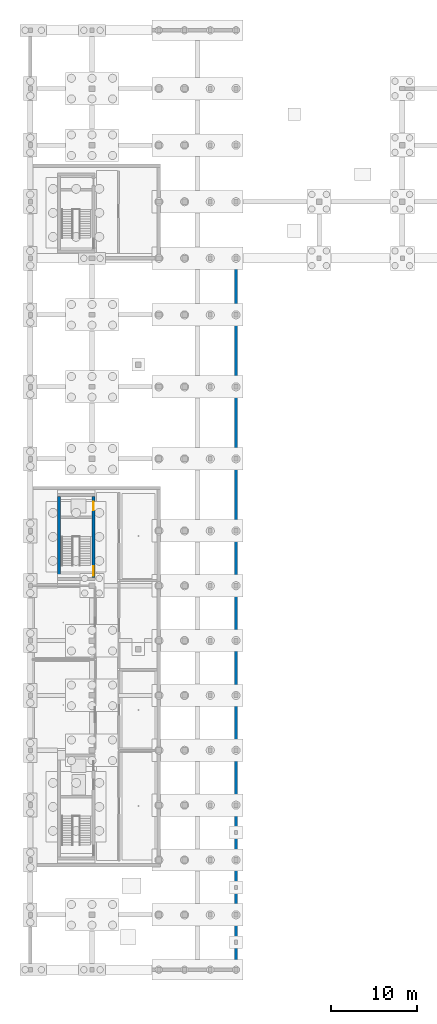
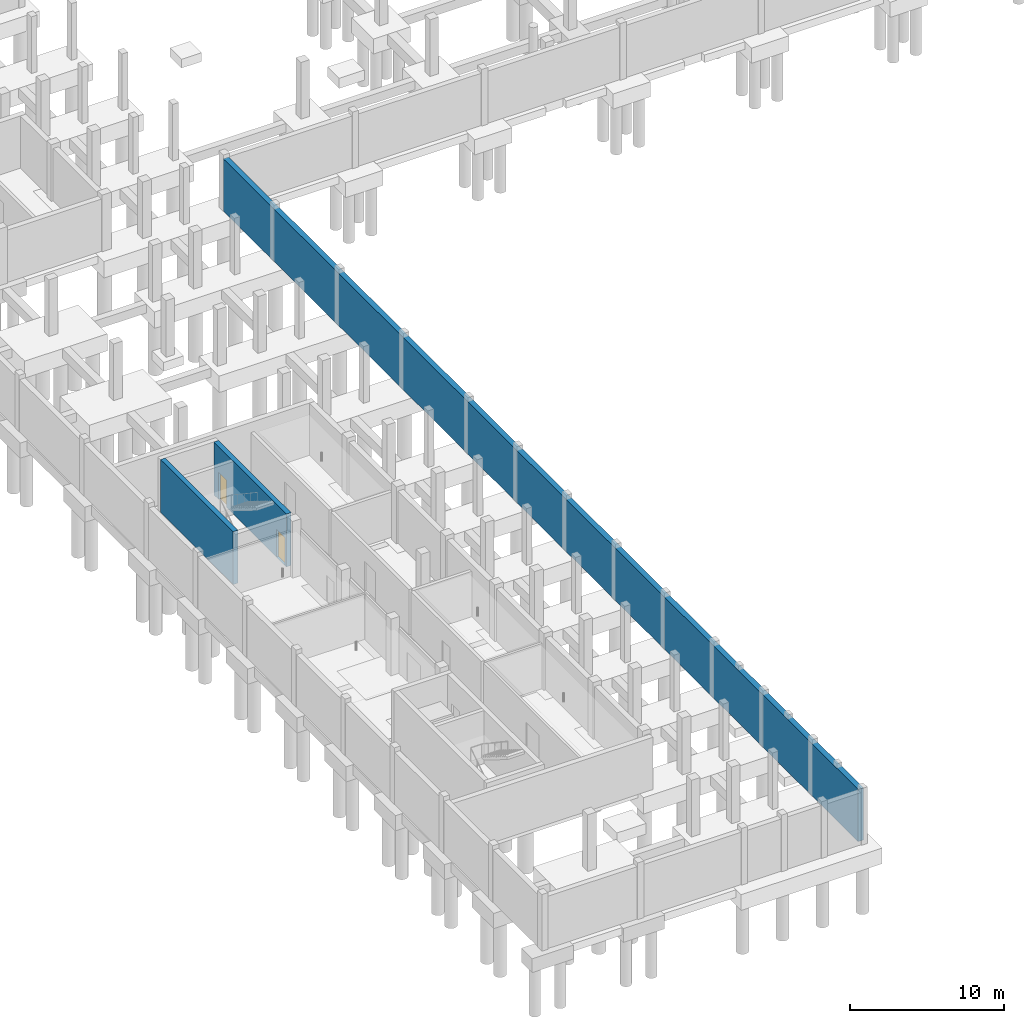
# One storey, part 12 of 21: 3 walls, 2 doors, 2 openings.
"""IFC4 building model written with IfcOpenShell, lengths in metres."""

from ifc_helpers import new_model, si_unit, derived_unit, direction, frame, frame_2d, origin, origin_with_axes, place, context, subcontext, project, spatial, rectangle, extrude, material, layer, layer_set, type_object, element, fill, save


model = new_model("IFC4")

# Units and contexts
model_context = context("Model", 3, precision=1e-05, world=origin(), true_north=direction((0.0, 1.0)))
body_context = subcontext(model_context, "Body", "Model", "MODEL_VIEW")
ifc_project = project(units=[si_unit("LENGTHUNIT", "METRE"), si_unit("AREAUNIT", "SQUARE_METRE"), si_unit("VOLUMEUNIT", "CUBIC_METRE"), si_unit("PLANEANGLEUNIT", "RADIAN"), si_unit("MASSUNIT", "GRAM", prefix="KILO"), derived_unit("THERMALTRANSMITTANCEUNIT", [(si_unit("POWERUNIT", "WATT"), 1), (si_unit("LENGTHUNIT", "METRE"), -2), (si_unit("THERMODYNAMICTEMPERATUREUNIT", "KELVIN"), -1)])], contexts=[model_context])

# Site, building, storey
site_placement = place(None, origin())
site = spatial("IfcSite", under=ifc_project, at=site_placement, CompositionType="ELEMENT")
building_placement = place(site_placement, origin())
building = spatial("IfcBuilding", under=site, at=building_placement, Name="Braskholm Square Health Centre", CompositionType="ELEMENT")
storey_placement = place(building_placement, frame((0.0, 0.0, -4.5)))
storey = spatial("IfcBuildingStorey", under=building, at=storey_placement, Name="B01", CompositionType="ELEMENT", Elevation=-4.5)

# Walls
ifc_material_1 = material(Name="Concrete C35/45 (f'c = 35 MPa)", Category="concrete")
ifc_layer_1 = layer(ifc_material_1, 0.39990234375)
ifc_layer_set_1 = layer_set([ifc_layer_1], Name="Concrete C35/45 (f'c = 35 MPa)")
wall_type_1 = type_object("IfcWallType", Name="BasementRetainingWall400", PredefinedType="SHEAR", material=ifc_layer_set_1)
wall_1_placement = place(storey_placement, frame((28.199951171875, 4.39990234375, 0.0), z_axis=(0.0, 0.0, 1.0), x_axis=(0.0, 1.0, 0.0)))
element("IfcWall", 1, at=wall_1_placement, inside=storey, type_object=wall_type_1, Name="Substructure perimeter retaining wall BW-COL-W", PredefinedType="SHEAR", context=body_context, shape_type="SweptSolid", body=[
    extrude(rectangle(XDim=82.60009765625, YDim=0.39990234375, at=frame_2d((41.300048828125, 0.0))), origin(), (0.0, 0.0, 1.0), 4.14990234375),
])
ifc_material_2 = material(Name="Concrete C40/50 (f'c = 40 MPa)", Category="concrete")
ifc_layer_2 = layer(ifc_material_2, 0.35009765625)
ifc_layer_set_2 = layer_set([ifc_layer_2], Name="Concrete C40/50 (f'c = 40 MPa)")
wall_type_2 = type_object("IfcWallType", Name="ShearCoreWall350", PredefinedType="SHEAR", material=ifc_layer_set_2)
wall_2_placement = place(storey_placement, frame((7.550048828125, 59.425048828125, 0.0), z_axis=(0.0, 0.0, 1.0), x_axis=(0.0, -1.0, 0.0)))
element("IfcWall", 2, at=wall_2_placement, inside=storey, type_object=wall_type_2, Name="CWALL-K2-B01 west wall", PredefinedType="SHEAR", context=body_context, shape_type="SweptSolid", body=[
    extrude(rectangle(XDim=9.449951171875, YDim=0.35009765625, at=frame_2d((4.72509765625, 0.0))), origin(), (0.0, 0.0, 1.0), 4.199951171875),
])

# Wall, openings, doors
wall_3_placement = place(storey_placement, frame((11.550048828125, 49.97509765625, 0.0), z_axis=(0.0, 0.0, 1.0), x_axis=(0.0, 1.0, 0.0)))
wall_3 = element("IfcWall", 3, at=wall_3_placement, inside=storey, type_object=wall_type_2, Name="CWALL-K2-B01 east wall", PredefinedType="SHEAR", context=body_context, shape_type="SweptSolid", body=[
    extrude(rectangle(XDim=9.449951171875, YDim=0.35009765625, at=frame_2d((4.72509765625, 0.0))), origin(), (0.0, 0.0, 1.0), 4.199951171875),
])
opening_1_placement = place(wall_3_placement, frame((0.199951171875, 0.0, 0.0)))
opening_1 = element("IfcOpeningElement", 4, at=opening_1_placement, cuts=wall_3, Name="Opening D-22", PredefinedType="OPENING", context=body_context, shape_type="SweptSolid", body=[
    extrude(rectangle(XDim=1.10009765625, YDim=2.199951171875, at=frame_2d((0.550048828125, 1.10009765625))), frame((0.0, 0.18505859375, 0.0), z_axis=(0.0, -1.0, 0.0), x_axis=(1.0, 0.0, 0.0)), (0.0, 0.0, 1.0), 0.3701171875),
])
opening_2_placement = place(wall_3_placement, frame((7.81494140625, 0.0, 0.0)))
opening_2 = element("IfcOpeningElement", 5, at=opening_2_placement, cuts=wall_3, Name="Opening LD-2", PredefinedType="OPENING", context=body_context, shape_type="SweptSolid", body=[
    extrude(rectangle(XDim=1.02001953125, YDim=2.14990234375, at=frame_2d((0.510009765625, 1.074951171875))), frame((0.0, 0.18505859375, 0.0), z_axis=(0.0, -1.0, 0.0), x_axis=(1.0, 0.0, 0.0)), (0.0, 0.0, 1.0), 0.3701171875),
])
ifc_material_3 = material(Name="Architectural bronze anodised aluminium", Category="aluminium")
door_type_1 = type_object("IfcDoorType", Name="DoorLiftLandingPassenger1020x2150", OperationType="SLIDING_TO_LEFT", PredefinedType="DOOR", material=ifc_material_3)
door_1_placement = place(opening_2_placement, origin_with_axes())
door_1 = element("IfcDoor", 6, at=door_1_placement, inside=storey, type_object=door_type_1, Name="Elevator EL-04 sliding landing door B01", OperationType="SLIDING_TO_LEFT", OverallHeight=2.14990234375, OverallWidth=1.02001953125, PredefinedType="DOOR", context=body_context, shape_type="SweptSolid", body=[
    extrude(rectangle(XDim=1.02001953125, YDim=2.14990234375, at=frame_2d((0.510009765625, 1.074951171875))), frame((0.0, 0.02490234375, 0.0), z_axis=(0.0, -1.0, 0.0), x_axis=(1.0, 0.0, 0.0)), (0.0, 0.0, 1.0), 0.050048828125),
])
fill(opening_2, door_1)
door_type_2 = type_object("IfcDoorType", Name="DoorStairEnclosure1100x2200", OperationType="NOTDEFINED", PredefinedType="DOOR", material=ifc_material_3)
door_2_placement = place(opening_1_placement, origin_with_axes())
door_2 = element("IfcDoor", 7, at=door_2_placement, inside=storey, type_object=door_type_2, Name="Stair ST-02 door B01", OperationType="SINGLE_SWING_LEFT", OverallHeight=2.199951171875, OverallWidth=1.10009765625, PredefinedType="DOOR", context=body_context, shape_type="SweptSolid", body=[
    extrude(rectangle(XDim=1.10009765625, YDim=2.199951171875, at=frame_2d((0.550048828125, 1.10009765625))), frame((0.0, 0.02490234375, 0.0), z_axis=(0.0, -1.0, 0.0), x_axis=(1.0, 0.0, 0.0)), (0.0, 0.0, 1.0), 0.050048828125),
])
fill(opening_1, door_2)

save(model, "model.ifc")
